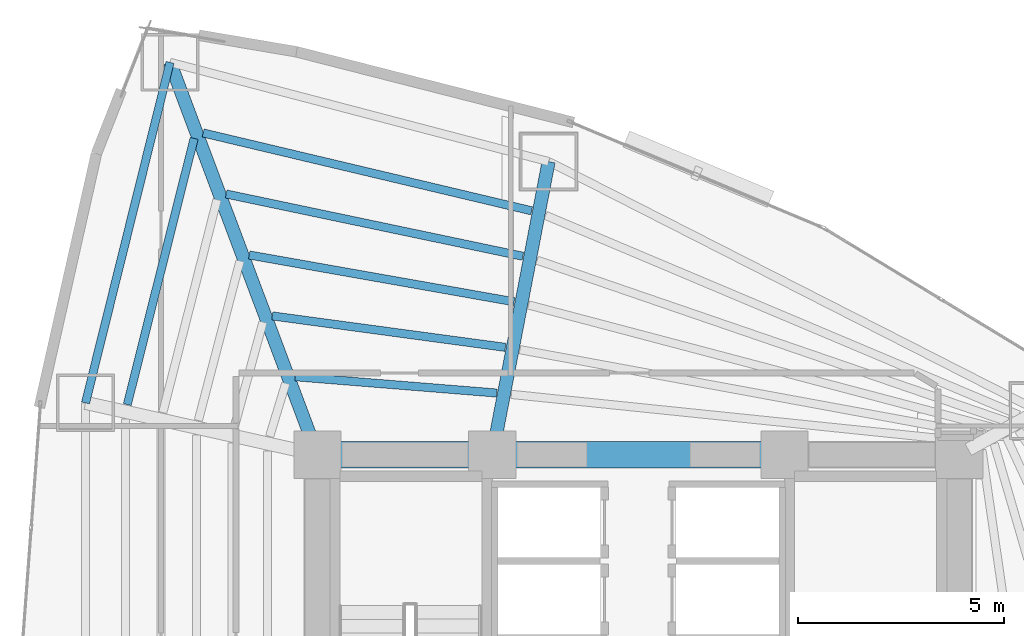
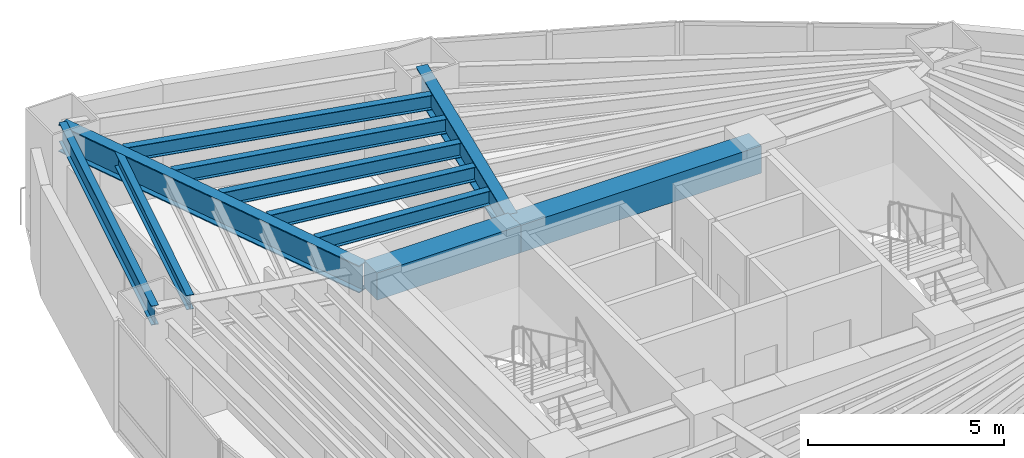
# One storey, part 8 of 17: 11 beams.
"""IFC4 building model written with IfcOpenShell, lengths in metres."""

from ifc_helpers import new_model, si_unit, direction, frame, origin, origin_2d, place, context, subcontext, project, spatial, rectangle, i_section, extrude, material, material_profile, profile_set, type_object, element, save


model = new_model("IFC4")

# Units and contexts
model_context = context("Model", 3, precision=1e-05, world=origin(), true_north=direction((0.0, 1.0)))
body_context = subcontext(model_context, "Body", "Model", "MODEL_VIEW")
ifc_project = project(units=[si_unit("LENGTHUNIT", "METRE"), si_unit("AREAUNIT", "SQUARE_METRE"), si_unit("VOLUMEUNIT", "CUBIC_METRE"), si_unit("PLANEANGLEUNIT", "RADIAN"), si_unit("MASSUNIT", "GRAM", prefix="KILO")], contexts=[model_context])

# Site, building, storey
site_placement = place(None, origin())
site = spatial("IfcSite", under=ifc_project, at=site_placement, CompositionType="ELEMENT")
building_placement = place(site_placement, origin())
building = spatial("IfcBuilding", under=site, at=building_placement, Name="Menara Vayukalpa", CompositionType="ELEMENT")
storey_placement = place(building_placement, frame((0.0, 0.0, 38.760009765625)))
storey = spatial("IfcBuildingStorey", under=building, at=storey_placement, Name="L08", CompositionType="ELEMENT", Elevation=38.760009765625)

# Beams
ifc_material_1 = material(Name="Concrete C60/75", Category="concrete")
ifc_material_profile_1 = material_profile(ifc_material_1, rectangle(XDim=0.64990234375, YDim=0.85009765625, at=origin_2d()), Name="RC 650x850")
ifc_profile_set_1 = profile_set([ifc_material_profile_1], Name="Concrete C60/75")
beam_type_1 = type_object("IfcBeamType", Name="BM-CB1", PredefinedType="BEAM", material=ifc_profile_set_1)
beam_1_placement = place(storey_placement, frame((17.800048828125, 26.800048828125, 3.044921875), z_axis=(1.0, 0.0, 0.0), x_axis=(0.0, 1.0, 0.0)))
element("IfcBeam", 1, at=beam_1_placement, inside=storey, type_object=beam_type_1, Name="L08 Core Tie Beam CBR4", PredefinedType="BEAM", context=body_context, shape_type="SweptSolid", body=[
    extrude(rectangle(XDim=0.64990234375, YDim=0.85009765625, at=origin_2d()), origin(), (0.0, 0.0, 1.0), 4.25),
])
beam_2_placement = place(storey_placement, frame((22.050048828125, 26.800048828125, 3.044921875), z_axis=(1.0, 0.0, 0.0), x_axis=(0.0, 1.0, 0.0)))
element("IfcBeam", 2, at=beam_2_placement, inside=storey, type_object=beam_type_1, Name="L08 Core Tie Beam CBR5", PredefinedType="BEAM", context=body_context, shape_type="SweptSolid", body=[
    extrude(rectangle(XDim=0.64990234375, YDim=0.85009765625, at=origin_2d()), origin(), (0.0, 0.0, 1.0), 7.099853515625),
])
ifc_material_2 = material(Name="Steel S355", Category="steel")
ifc_material_profile_2 = material_profile(ifc_material_2, i_section(OverallWidth=0.320068359375, OverallDepth=0.85009765625, WebThickness=0.01611328125, FlangeThickness=0.030029296875, at=origin_2d()), Name="WF 850x320x16x30")
ifc_profile_set_2 = profile_set([ifc_material_profile_2], Name="Steel S355")
beam_type_2 = type_object("IfcBeamType", Name="BM-PG2", PredefinedType="BEAM", material=ifc_profile_set_2)
beam_3_placement = place(storey_placement, frame((22.09716796875, 27.04541015625, 3.044921875), z_axis=(0.188803432672, 0.982014899995, 0.0), x_axis=(-0.982014899995, 0.188803432672, 0.0)))
element("IfcBeam", 3, at=beam_3_placement, inside=storey, type_object=beam_type_2, Name="L08 Primary Radial Girder RG03", PredefinedType="BEAM", context=body_context, shape_type="SweptSolid", body=[
    extrude(i_section(OverallWidth=0.320068359375, OverallDepth=0.85009765625, WebThickness=0.01611328125, FlangeThickness=0.030029296875, at=origin_2d()), origin(), (0.0, 0.0, 1.0), 7.00341796875),
])
beam_4_placement = place(storey_placement, frame((17.712158203125, 27.033935546875, 3.044921875), z_axis=(-0.351734656537, 0.93609974436, 0.0), x_axis=(-0.93609974436, -0.351734656537, 0.0)))
element("IfcBeam", 4, at=beam_4_placement, inside=storey, type_object=beam_type_2, Name="L08 Primary Radial Girder RG04", PredefinedType="BEAM", context=body_context, shape_type="SweptSolid", body=[
    extrude(i_section(OverallWidth=0.320068359375, OverallDepth=0.85009765625, WebThickness=0.01611328125, FlangeThickness=0.030029296875, at=origin_2d()), origin(), (0.0, 0.0, 1.0), 9.935302734375),
])
ifc_material_3 = material(Name="Steel S355", Category="steel")
ifc_material_profile_3 = material_profile(ifc_material_3, i_section(OverallWidth=0.199951171875, OverallDepth=0.449951171875, WebThickness=0.009033203125, FlangeThickness=0.013916015625, at=origin_2d()), Name="WF 450x200x9x14")
ifc_profile_set_3 = profile_set([ifc_material_profile_3], Name="Steel S355")
beam_type_3 = type_object("IfcBeamType", Name="BM-SJ1", PredefinedType="JOIST", material=ifc_profile_set_3)
beam_5_placement = place(storey_placement, frame((22.15576171875, 28.2978515625, 3.244873046875), z_axis=(-0.996745483939, 0.08061290373, 0.0), x_axis=(-0.08061290373, -0.996745483939, 0.0)))
element("IfcBeam", 5, at=beam_5_placement, inside=storey, type_object=beam_type_3, Name="L08 Secondary Floor Joist SJ03-1", PredefinedType="JOIST", context=body_context, shape_type="SweptSolid", body=[
    extrude(i_section(OverallWidth=0.199951171875, OverallDepth=0.449951171875, WebThickness=0.009033203125, FlangeThickness=0.013916015625, at=origin_2d()), origin(), (0.0, 0.0, 1.0), 4.9091796875),
])
beam_6_placement = place(storey_placement, frame((22.368408203125, 29.40771484375, 3.244873046875), z_axis=(-0.991021966654, 0.13369914588, 0.0), x_axis=(-0.13369914588, -0.991021966654, 0.0)))
element("IfcBeam", 6, at=beam_6_placement, inside=storey, type_object=beam_type_3, Name="L08 Secondary Floor Joist SJ03-2", PredefinedType="JOIST", context=body_context, shape_type="SweptSolid", body=[
    extrude(i_section(OverallWidth=0.199951171875, OverallDepth=0.449951171875, WebThickness=0.009033203125, FlangeThickness=0.013916015625, at=origin_2d()), origin(), (0.0, 0.0, 1.0), 5.71728515625),
])
beam_7_placement = place(storey_placement, frame((22.5810546875, 30.515380859375, 3.244873046875), z_axis=(-0.984753096925, 0.173957862993, 0.0), x_axis=(-0.173957862993, -0.984753096925, 0.0)))
element("IfcBeam", 7, at=beam_7_placement, inside=storey, type_object=beam_type_3, Name="L08 Secondary Floor Joist SJ03-3", PredefinedType="JOIST", context=body_context, shape_type="SweptSolid", body=[
    extrude(i_section(OverallWidth=0.199951171875, OverallDepth=0.449951171875, WebThickness=0.009033203125, FlangeThickness=0.013916015625, at=origin_2d()), origin(), (0.0, 0.0, 1.0), 6.53857421875),
])
beam_8_placement = place(storey_placement, frame((22.793701171875, 31.62158203125, 3.244873046875), z_axis=(-0.978676146728, 0.205409346977, 0.0), x_axis=(-0.205409346977, -0.978676146728, 0.0)))
element("IfcBeam", 8, at=beam_8_placement, inside=storey, type_object=beam_type_3, Name="L08 Secondary Floor Joist SJ03-4", PredefinedType="JOIST", context=body_context, shape_type="SweptSolid", body=[
    extrude(i_section(OverallWidth=0.199951171875, OverallDepth=0.449951171875, WebThickness=0.009033203125, FlangeThickness=0.013916015625, at=origin_2d()), origin(), (0.0, 0.0, 1.0), 7.369140625),
])
beam_9_placement = place(storey_placement, frame((23.00634765625, 32.726318359375, 3.244873046875), z_axis=(-0.97303971213, 0.23063763487, 0.0), x_axis=(-0.23063763487, -0.97303971213, 0.0)))
element("IfcBeam", 9, at=beam_9_placement, inside=storey, type_object=beam_type_3, Name="L08 Secondary Floor Joist SJ03-5", PredefinedType="JOIST", context=body_context, shape_type="SweptSolid", body=[
    extrude(i_section(OverallWidth=0.199951171875, OverallDepth=0.449951171875, WebThickness=0.009033203125, FlangeThickness=0.013916015625, at=origin_2d()), origin(), (0.0, 0.0, 1.0), 8.205810546875),
])
beam_10_placement = place(storey_placement, frame((14.802734375, 34.485595703125, 3.244873046875), z_axis=(-0.243517460774, -0.96989651319, 0.0), x_axis=(0.96989651319, -0.243517460774, 0.0)))
element("IfcBeam", 10, at=beam_10_placement, inside=storey, type_object=beam_type_3, Name="L08 Secondary Floor Joist SJ04-5", PredefinedType="JOIST", context=body_context, shape_type="SweptSolid", body=[
    extrude(i_section(OverallWidth=0.199951171875, OverallDepth=0.449951171875, WebThickness=0.009033203125, FlangeThickness=0.013916015625, at=origin_2d()), origin(), (0.0, 0.0, 1.0), 6.6689453125),
])
ifc_material_4 = material(Name="Steel S355", Category="steel")
ifc_material_profile_4 = material_profile(ifc_material_4, i_section(OverallWidth=0.199951171875, OverallDepth=0.60009765625, WebThickness=0.010986328125, FlangeThickness=0.01708984375, at=origin_2d()), Name="WF 600x200x11x17")
ifc_profile_set_4 = profile_set([ifc_material_profile_4], Name="Steel S355")
beam_type_4 = type_object("IfcBeamType", Name="BM-SP1", PredefinedType="SPANDREL", material=ifc_profile_set_4)
beam_11_placement = place(storey_placement, frame((14.217529296875, 36.33447265625, 3.169921875), z_axis=(-0.240823860364, -0.970568837476, 0.0), x_axis=(0.970568837476, -0.240823860364, 0.0)))
element("IfcBeam", 11, at=beam_11_placement, inside=storey, type_object=beam_type_4, Name="L08 Perimeter Spandrel Beam SP04", PredefinedType="SPANDREL", context=body_context, shape_type="SweptSolid", body=[
    extrude(i_section(OverallWidth=0.199951171875, OverallDepth=0.60009765625, WebThickness=0.010986328125, FlangeThickness=0.01708984375, at=origin_2d()), origin(), (0.0, 0.0, 1.0), 8.52587890625),
])

save(model, "model.ifc")
